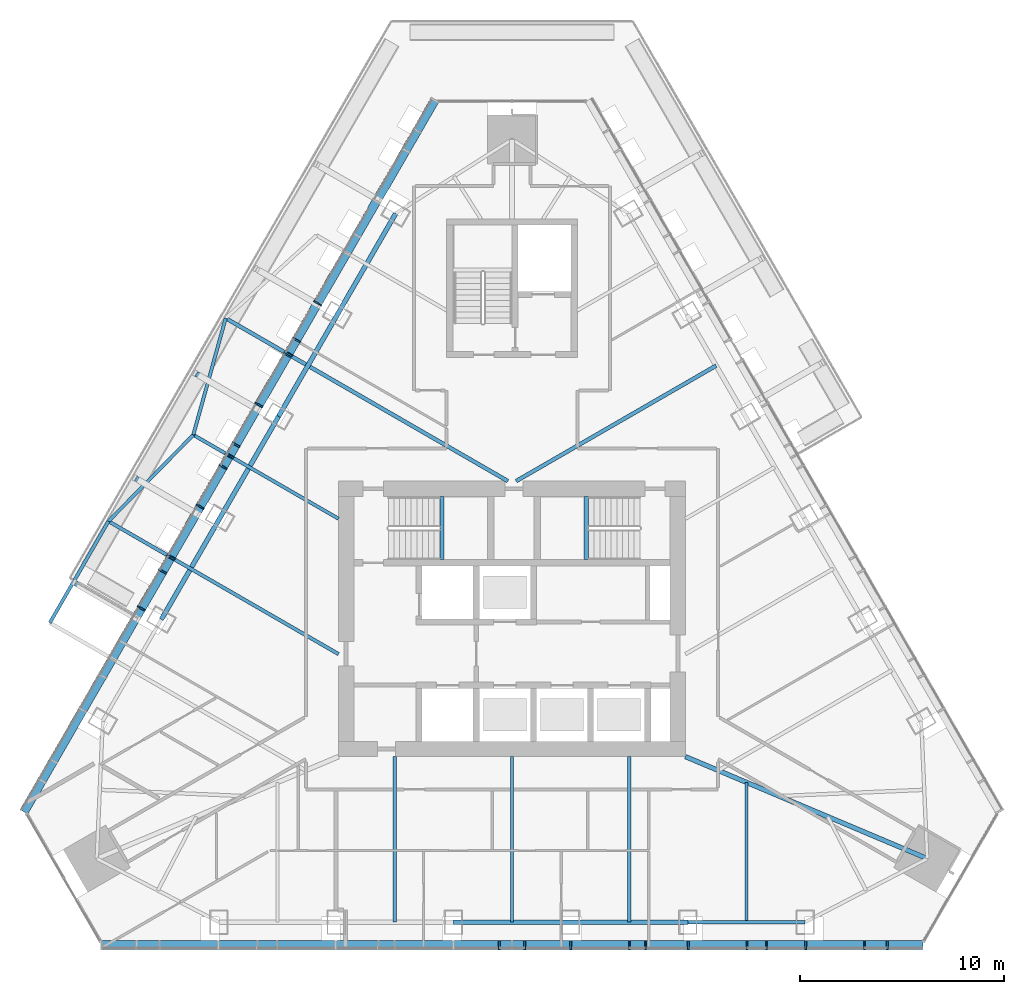
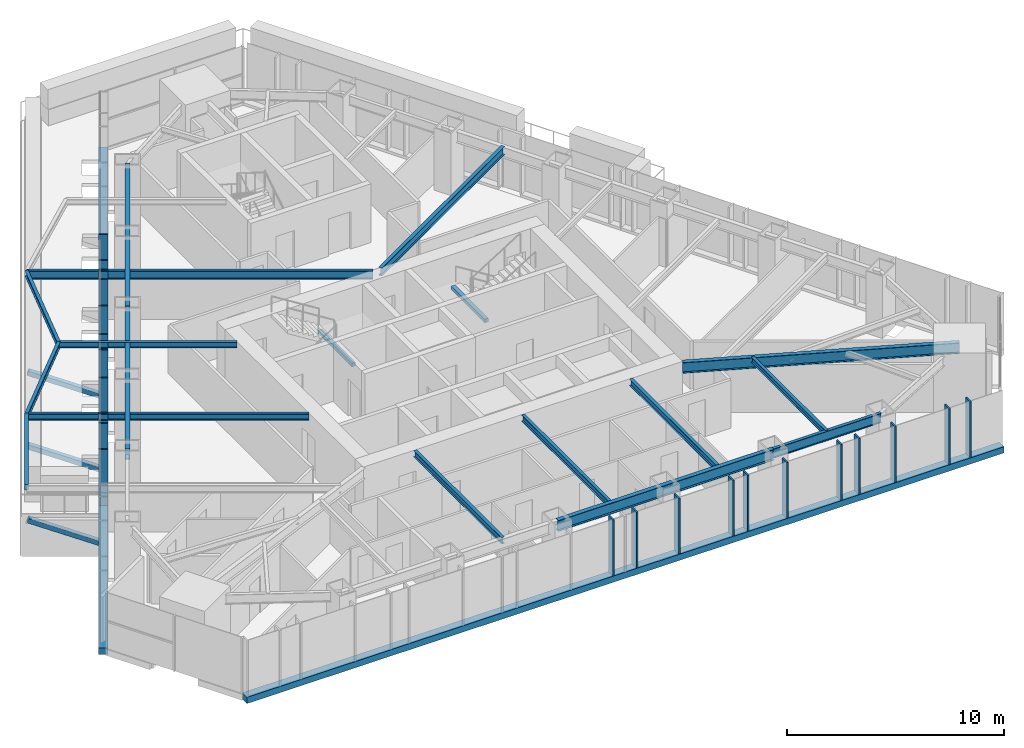
# One storey, part 3 of 16: 27 members, 18 beams, 2 elements without a shape of their own.
"""IFC4 building model written with IfcOpenShell, lengths in metres."""

from ifc_helpers import new_model, si_unit, direction, frame, origin, origin_2d, place, context, subcontext, project, spatial, rectangle, hollow_rectangle, i_section, extrude, material, layer, layer_set, material_profile, profile_set, type_object, element, aggregate, save


model = new_model("IFC4")

# Units and contexts
model_context = context("Model", 3, precision=1e-05, world=origin(), true_north=direction((0.0, 1.0)))
body_context = subcontext(model_context, "Body", "Model", "MODEL_VIEW")
ifc_project = project(units=[si_unit("LENGTHUNIT", "METRE"), si_unit("AREAUNIT", "SQUARE_METRE"), si_unit("VOLUMEUNIT", "CUBIC_METRE"), si_unit("PLANEANGLEUNIT", "RADIAN"), si_unit("MASSUNIT", "GRAM", prefix="KILO")], contexts=[model_context])

# Site, building, storey
site_placement = place(None, origin())
site = spatial("IfcSite", under=ifc_project, at=site_placement, CompositionType="ELEMENT")
building_placement = place(site_placement, origin())
building = spatial("IfcBuilding", under=site, at=building_placement, Name="Firuza Gate Tower and Library", CompositionType="ELEMENT")
storey_placement = place(building_placement, frame((0.0, 0.0, 319.60009765625)))
storey = spatial("IfcBuildingStorey", under=building, at=storey_placement, Name="L78", CompositionType="ELEMENT", Elevation=319.60009765625)

# Curtain wall, members
ifc_material_1 = material(Name="Aluminium 6063-T6", Category="aluminium")
ifc_layer = layer(ifc_material_1, 0.14990234375)
ifc_layer_set = layer_set([ifc_layer], Name="Unitised curtain wall, residences")
curtain_wall_type = type_object("IfcCurtainWallType", Name="Unitised curtain wall, residences", PredefinedType="NOTDEFINED", material=ifc_layer_set)
placement = place(storey_placement, origin())
curtain_wall_1 = element("IfcCurtainWall", 1, at=placement, inside=storey, type_object=curtain_wall_type, Name="CW3 L78 S face", PredefinedType="NOTDEFINED")
ifc_material_2 = material(Name="Aluminium 6063-T6", Category="aluminium")
ifc_material_profile_1 = material_profile(ifc_material_2, rectangle(XDim=0.43994140625, YDim=0.080078125, at=origin_2d()))
ifc_profile_set_1 = profile_set([ifc_material_profile_1], Name="Aluminium 6063-T6")
member_type_1 = type_object("IfcMemberType", Name="Curtain wall mullion 80x440", PredefinedType="MULLION", material=ifc_profile_set_1)
member_1_placement = place(storey_placement, frame((77.878173828125, 59.01611328125, 0.14990234375), z_axis=(0.0, 0.0, 1.0), x_axis=(0.0, 1.0, 0.0)))
member_1 = element("IfcMember", 2, at=member_1_placement, type_object=member_type_1, Name="Mullion", PredefinedType="MULLION", context=body_context, shape_type="SweptSolid", body=[
    extrude(rectangle(XDim=0.43994140625, YDim=0.080078125, at=origin_2d()), origin(), (0.0, 0.0, 1.0), 3.14990234375),
])
member_2_placement = place(storey_placement, frame((80.75634765625, 59.01611328125, 0.14990234375), z_axis=(0.0, 0.0, 1.0), x_axis=(0.0, 1.0, 0.0)))
member_2 = element("IfcMember", 3, at=member_2_placement, type_object=member_type_1, Name="Mullion", PredefinedType="MULLION", context=body_context, shape_type="SweptSolid", body=[
    extrude(rectangle(XDim=0.43994140625, YDim=0.080078125, at=origin_2d()), origin(), (0.0, 0.0, 1.0), 3.14990234375),
])
member_3_placement = place(storey_placement, frame((83.634521484375, 59.01611328125, 0.14990234375), z_axis=(0.0, 0.0, 1.0), x_axis=(0.0, 1.0, 0.0)))
member_3 = element("IfcMember", 4, at=member_3_placement, type_object=member_type_1, Name="Mullion", PredefinedType="MULLION", context=body_context, shape_type="SweptSolid", body=[
    extrude(rectangle(XDim=0.43994140625, YDim=0.080078125, at=origin_2d()), origin(), (0.0, 0.0, 1.0), 3.14990234375),
])
member_4_placement = place(storey_placement, frame((86.5126953125, 59.01611328125, 0.14990234375), z_axis=(0.0, 0.0, 1.0), x_axis=(0.0, 1.0, 0.0)))
member_4 = element("IfcMember", 5, at=member_4_placement, type_object=member_type_1, Name="Mullion", PredefinedType="MULLION", context=body_context, shape_type="SweptSolid", body=[
    extrude(rectangle(XDim=0.43994140625, YDim=0.080078125, at=origin_2d()), origin(), (0.0, 0.0, 1.0), 3.14990234375),
])
member_5_placement = place(storey_placement, frame((89.390869140625, 59.01611328125, 0.14990234375), z_axis=(0.0, 0.0, 1.0), x_axis=(0.0, 1.0, 0.0)))
member_5 = element("IfcMember", 6, at=member_5_placement, type_object=member_type_1, Name="Mullion", PredefinedType="MULLION", context=body_context, shape_type="SweptSolid", body=[
    extrude(rectangle(XDim=0.43994140625, YDim=0.080078125, at=origin_2d()), origin(), (0.0, 0.0, 1.0), 3.14990234375),
])
member_6_placement = place(storey_placement, frame((92.26904296875, 59.01611328125, 0.14990234375), z_axis=(0.0, 0.0, 1.0), x_axis=(0.0, 1.0, 0.0)))
member_6 = element("IfcMember", 7, at=member_6_placement, type_object=member_type_1, Name="Mullion", PredefinedType="MULLION", context=body_context, shape_type="SweptSolid", body=[
    extrude(rectangle(XDim=0.43994140625, YDim=0.080078125, at=origin_2d()), origin(), (0.0, 0.0, 1.0), 3.14990234375),
])
member_7_placement = place(storey_placement, frame((74.37548828125, 59.01611328125, 0.14990234375), z_axis=(0.0, 0.0, 1.0), x_axis=(0.0, 1.0, 0.0)))
member_7 = element("IfcMember", 8, at=member_7_placement, type_object=member_type_1, Name="Mullion", PredefinedType="MULLION", context=body_context, shape_type="SweptSolid", body=[
    extrude(rectangle(XDim=0.43994140625, YDim=0.080078125, at=origin_2d()), origin(), (0.0, 0.0, 1.0), 3.14990234375),
])
member_8_placement = place(storey_placement, frame((75.62451171875, 59.01611328125, 0.14990234375), z_axis=(0.0, 0.0, 1.0), x_axis=(0.0, 1.0, 0.0)))
member_8 = element("IfcMember", 9, at=member_8_placement, type_object=member_type_1, Name="Mullion", PredefinedType="MULLION", context=body_context, shape_type="SweptSolid", body=[
    extrude(rectangle(XDim=0.43994140625, YDim=0.080078125, at=origin_2d()), origin(), (0.0, 0.0, 1.0), 3.14990234375),
])
member_9_placement = place(storey_placement, frame((81.54443359375, 59.01611328125, 0.14990234375), z_axis=(0.0, 0.0, 1.0), x_axis=(0.0, 1.0, 0.0)))
member_9 = element("IfcMember", 10, at=member_9_placement, type_object=member_type_1, Name="Mullion", PredefinedType="MULLION", context=body_context, shape_type="SweptSolid", body=[
    extrude(rectangle(XDim=0.43994140625, YDim=0.080078125, at=origin_2d()), origin(), (0.0, 0.0, 1.0), 3.14990234375),
])
member_10_placement = place(storey_placement, frame((87.46435546875, 59.01611328125, 0.14990234375), z_axis=(0.0, 0.0, 1.0), x_axis=(0.0, 1.0, 0.0)))
member_10 = element("IfcMember", 11, at=member_10_placement, type_object=member_type_1, Name="Mullion", PredefinedType="MULLION", context=body_context, shape_type="SweptSolid", body=[
    extrude(rectangle(XDim=0.43994140625, YDim=0.080078125, at=origin_2d()), origin(), (0.0, 0.0, 1.0), 3.14990234375),
])
member_11_placement = place(storey_placement, frame((93.384521484375, 59.01611328125, 0.14990234375), z_axis=(0.0, 0.0, 1.0), x_axis=(0.0, 1.0, 0.0)))
member_11 = element("IfcMember", 12, at=member_11_placement, type_object=member_type_1, Name="Mullion", PredefinedType="MULLION", context=body_context, shape_type="SweptSolid", body=[
    extrude(rectangle(XDim=0.43994140625, YDim=0.080078125, at=origin_2d()), origin(), (0.0, 0.0, 1.0), 3.14990234375),
])

curtain_wall_2 = element("IfcCurtainWall", 13, at=placement, inside=storey, type_object=curtain_wall_type, Name="CW3 L78 W face", PredefinedType="NOTDEFINED")
member_12_placement = place(storey_placement, frame((65.474853515625, 90.4697265625, 0.14990234375), z_axis=(0.0, 0.0, 1.0), x_axis=(0.866025403784, -0.5, 0.0)))
member_12 = element("IfcMember", 14, at=member_12_placement, type_object=member_type_1, Name="Mullion", PredefinedType="MULLION", context=body_context, shape_type="SweptSolid", body=[
    extrude(rectangle(XDim=0.43994140625, YDim=0.080078125, at=origin_2d()), origin(), (0.0, 0.0, 1.0), 3.14990234375),
])
member_13_placement = place(storey_placement, frame((64.03564453125, 87.97705078125, 0.14990234375), z_axis=(0.0, 0.0, 1.0), x_axis=(0.866025403784, -0.5, 0.0)))
member_13 = element("IfcMember", 15, at=member_13_placement, type_object=member_type_1, Name="Mullion", PredefinedType="MULLION", context=body_context, shape_type="SweptSolid", body=[
    extrude(rectangle(XDim=0.43994140625, YDim=0.080078125, at=origin_2d()), origin(), (0.0, 0.0, 1.0), 3.14990234375),
])
member_14_placement = place(storey_placement, frame((62.5966796875, 85.484619140625, 0.14990234375), z_axis=(0.0, 0.0, 1.0), x_axis=(0.866025403784, -0.5, 0.0)))
member_14 = element("IfcMember", 16, at=member_14_placement, type_object=member_type_1, Name="Mullion", PredefinedType="MULLION", context=body_context, shape_type="SweptSolid", body=[
    extrude(rectangle(XDim=0.43994140625, YDim=0.080078125, at=origin_2d()), origin(), (0.0, 0.0, 1.0), 3.14990234375),
])
member_15_placement = place(storey_placement, frame((61.157470703125, 82.991943359375, 0.14990234375), z_axis=(0.0, 0.0, 1.0), x_axis=(0.866025403784, -0.5, 0.0)))
member_15 = element("IfcMember", 17, at=member_15_placement, type_object=member_type_1, Name="Mullion", PredefinedType="MULLION", context=body_context, shape_type="SweptSolid", body=[
    extrude(rectangle(XDim=0.43994140625, YDim=0.080078125, at=origin_2d()), origin(), (0.0, 0.0, 1.0), 3.14990234375),
])
member_16_placement = place(storey_placement, frame((59.71826171875, 80.49951171875, 0.14990234375), z_axis=(0.0, 0.0, 1.0), x_axis=(0.866025403784, -0.5, 0.0)))
member_16 = element("IfcMember", 18, at=member_16_placement, type_object=member_type_1, Name="Mullion", PredefinedType="MULLION", context=body_context, shape_type="SweptSolid", body=[
    extrude(rectangle(XDim=0.43994140625, YDim=0.080078125, at=origin_2d()), origin(), (0.0, 0.0, 1.0), 3.14990234375),
])
member_17_placement = place(storey_placement, frame((58.279296875, 78.0068359375, 0.14990234375), z_axis=(0.0, 0.0, 1.0), x_axis=(0.866025403784, -0.5, 0.0)))
member_17 = element("IfcMember", 19, at=member_17_placement, type_object=member_type_1, Name="Mullion", PredefinedType="MULLION", context=body_context, shape_type="SweptSolid", body=[
    extrude(rectangle(XDim=0.43994140625, YDim=0.080078125, at=origin_2d()), origin(), (0.0, 0.0, 1.0), 3.14990234375),
])
member_18_placement = place(storey_placement, frame((56.840087890625, 75.51416015625, 0.14990234375), z_axis=(0.0, 0.0, 1.0), x_axis=(0.866025403784, -0.5, 0.0)))
member_18 = element("IfcMember", 20, at=member_18_placement, type_object=member_type_1, Name="Mullion", PredefinedType="MULLION", context=body_context, shape_type="SweptSolid", body=[
    extrude(rectangle(XDim=0.43994140625, YDim=0.080078125, at=origin_2d()), origin(), (0.0, 0.0, 1.0), 3.14990234375),
])
member_19_placement = place(storey_placement, frame((64.4296875, 88.65966796875, 0.14990234375), z_axis=(0.0, 0.0, 1.0), x_axis=(0.866025403784, -0.5, 0.0)))
member_19 = element("IfcMember", 21, at=member_19_placement, type_object=member_type_1, Name="Mullion", PredefinedType="MULLION", context=body_context, shape_type="SweptSolid", body=[
    extrude(rectangle(XDim=0.43994140625, YDim=0.080078125, at=origin_2d()), origin(), (0.0, 0.0, 1.0), 3.14990234375),
])
member_20_placement = place(storey_placement, frame((61.4697265625, 83.53271484375, 0.14990234375), z_axis=(0.0, 0.0, 1.0), x_axis=(0.866025403784, -0.5, 0.0)))
member_20 = element("IfcMember", 22, at=member_20_placement, type_object=member_type_1, Name="Mullion", PredefinedType="MULLION", context=body_context, shape_type="SweptSolid", body=[
    extrude(rectangle(XDim=0.43994140625, YDim=0.080078125, at=origin_2d()), origin(), (0.0, 0.0, 1.0), 3.14990234375),
])
member_21_placement = place(storey_placement, frame((60.84521484375, 82.451171875, 0.14990234375), z_axis=(0.0, 0.0, 1.0), x_axis=(0.866025403784, -0.5, 0.0)))
member_21 = element("IfcMember", 23, at=member_21_placement, type_object=member_type_1, Name="Mullion", PredefinedType="MULLION", context=body_context, shape_type="SweptSolid", body=[
    extrude(rectangle(XDim=0.43994140625, YDim=0.080078125, at=origin_2d()), origin(), (0.0, 0.0, 1.0), 3.14990234375),
])
member_22_placement = place(storey_placement, frame((57.88525390625, 77.32421875, 0.14990234375), z_axis=(0.0, 0.0, 1.0), x_axis=(0.866025403784, -0.5, 0.0)))
member_22 = element("IfcMember", 24, at=member_22_placement, type_object=member_type_1, Name="Mullion", PredefinedType="MULLION", context=body_context, shape_type="SweptSolid", body=[
    extrude(rectangle(XDim=0.43994140625, YDim=0.080078125, at=origin_2d()), origin(), (0.0, 0.0, 1.0), 3.14990234375),
])

# Member
ifc_material_3 = material(Name="Aluminium 6063-T6", Category="aluminium")
ifc_material_profile_2 = material_profile(ifc_material_3, rectangle(XDim=0.43994140625, YDim=0.35009765625, at=origin_2d()))
ifc_profile_set_2 = profile_set([ifc_material_profile_2], Name="Aluminium 6063-T6")
member_type_2 = type_object("IfcMemberType", Name="Curtain wall transom 350x440", PredefinedType="USERDEFINED", material=ifc_profile_set_2)
member_23_placement = place(storey_placement, frame((54.852783203125, 59.01611328125, -0.025146484375), z_axis=(1.0, 0.0, 0.0), x_axis=(0.0, 1.0, 0.0)))
member_23 = element("IfcMember", 25, at=member_23_placement, type_object=member_type_2, Name="Transom", ObjectType="TRANSOM", PredefinedType="USERDEFINED", context=body_context, shape_type="SweptSolid", body=[
    extrude(rectangle(XDim=0.43994140625, YDim=0.35009765625, at=origin_2d()), origin(), (0.0, 0.0, 1.0), 40.29443359375),
])

aggregate(curtain_wall_1, [member_1, member_2, member_3, member_4, member_5, member_6, member_23, member_7, member_8, member_9, member_10, member_11])

member_24_placement = place(storey_placement, frame((71.231201171875, 100.43994140625, -0.025146484375), z_axis=(-0.500004619708, -0.866022736578, 0.0), x_axis=(0.866022736578, -0.500004619708, 0.0)))
member_24 = element("IfcMember", 26, at=member_24_placement, type_object=member_type_2, Name="Transom", ObjectType="TRANSOM", PredefinedType="USERDEFINED", context=body_context, shape_type="SweptSolid", body=[
    extrude(rectangle(XDim=0.43994140625, YDim=0.35009765625, at=origin_2d()), origin(), (0.0, 0.0, 1.0), 40.29443359375),
])

aggregate(curtain_wall_2, [member_12, member_13, member_14, member_15, member_16, member_17, member_18, member_24, member_19, member_20, member_21, member_22])

# Members
ifc_material_4 = material(Name="Steel S355", Category="steel")
ifc_material_profile_3 = material_profile(ifc_material_4, hollow_rectangle(XDim=0.25390625, YDim=0.25390625, WallThickness=0.01171875, at=origin_2d()))
ifc_profile_set_3 = profile_set([ifc_material_profile_3], Name="Steel S355")
member_type_3 = type_object("IfcMemberType", Name="HSS254x254x13 Tray strut", PredefinedType="BRACE", material=ifc_profile_set_3)
for number, where, z_axis, x_axis, name in (
    (27, (62.599609375, 85.23095703125, -1.670166015625), (-0.807144487129, 0.465983580268, 0.362459763032), (-0.499982693035, -0.866035395735, 0.0), "Tray strut L78 col:L77:W3"),
    (28, (59.639404296875, 80.10400390625, -1.670166015625), (-0.807122458648, 0.466007352202, 0.362478253747), (-0.500012057535, -0.866018442252, 0.0), "Tray strut L78 col:L77:W4"),
):
    element("IfcMember", number, at=place(storey_placement, frame(where, z_axis=z_axis, x_axis=x_axis)), inside=storey, type_object=member_type_3, Name=name, PredefinedType="BRACE", context=body_context, shape_type="SweptSolid", body=[
        extrude(hollow_rectangle(XDim=0.25390625, YDim=0.25390625, WallThickness=0.01171875, at=origin_2d()), origin(), (0.0, 0.0, 1.0), 3.86279296875),
    ])
member_25_placement = place(storey_placement, frame((56.679443359375, 74.977294921875, -1.670166015625), z_axis=(-0.807146230908, 0.465957871124, 0.362488929856), x_axis=(-0.499961193289, -0.866047807691, 0.0)))
element("IfcMember", 29, at=member_25_placement, inside=storey, type_object=member_type_3, Name="Tray strut L78 col:L77:W5", PredefinedType="BRACE", context=body_context, shape_type="SweptSolid", body=[
    extrude(hollow_rectangle(XDim=0.25390625, YDim=0.25390625, WallThickness=0.01171875, at=origin_2d()), origin(), (0.0, 0.0, 1.0), 3.862548828125),
])

# Beams
ifc_material_5 = material(Name="Concrete C35/45", Category="concrete")
ifc_material_profile_4 = material_profile(ifc_material_5, rectangle(XDim=0.199951171875, YDim=0.199951171875, at=origin_2d()))
ifc_profile_set_4 = profile_set([ifc_material_profile_4], Name="Concrete C35/45")
beam_type_1 = type_object("IfcBeamType", Name="Stair landing bearer 200x200", PredefinedType="BEAM", material=ifc_profile_set_4)
for number, where, z_axis, x_axis, name in (
    (30, (71.56005859375, 77.89990234375, 1.449951171875), (0.0, 1.0, 0.0), (-1.0, 0.0, 0.0), "Landing bearer L78 stair 1"),
    (31, (78.639892578125, 81.0, 1.449951171875), (0.0, -1.0, 0.0), (1.0, 0.0, 0.0), "Landing bearer L78 stair 2"),
):
    element("IfcBeam", number, at=place(storey_placement, frame(where, z_axis=z_axis, x_axis=x_axis)), inside=storey, type_object=beam_type_1, Name=name, PredefinedType="BEAM", context=body_context, shape_type="SweptSolid", body=[
        extrude(rectangle(XDim=0.199951171875, YDim=0.199951171875, at=origin_2d()), origin(), (0.0, 0.0, 1.0), 3.10009765625),
    ])
ifc_material_6 = material(Name="Steel S355", Category="steel")
ifc_material_profile_5 = material_profile(ifc_material_6, i_section(OverallWidth=0.1650390625, OverallDepth=0.31005859375, WebThickness=0.005859375, FlangeThickness=0.009765625, at=origin_2d()))
ifc_profile_set_5 = profile_set([ifc_material_profile_5], Name="Steel S355")
beam_type_2 = type_object("IfcBeamType", Name="W310x39 Floor beam", PredefinedType="JOIST", material=ifc_profile_set_5)
beam_1_placement = place(storey_placement, frame((86.488037109375, 60.135986328125, 3.14501953125), z_axis=(0.0, 1.0, 0.0), x_axis=(-1.0, 0.0, 0.0)))
element("IfcBeam", 32, at=beam_1_placement, inside=storey, type_object=beam_type_2, Name="Floor beam L78 s24", PredefinedType="JOIST", context=body_context, shape_type="SweptSolid", body=[
    extrude(i_section(OverallWidth=0.1650390625, OverallDepth=0.31005859375, WebThickness=0.005859375, FlangeThickness=0.009765625, at=origin_2d()), origin(), (0.0, 0.0, 1.0), 6.853759765625),
])
beam_2_placement = place(storey_placement, frame((59.385498046875, 84.014892578125, 3.14501953125), z_axis=(0.866032664072, -0.499987424603, 0.0), x_axis=(0.499987424603, 0.866032664072, 0.0)))
element("IfcBeam", 33, at=beam_2_placement, inside=storey, type_object=beam_type_2, Name="Floor beam L78 s82", PredefinedType="JOIST", context=body_context, shape_type="SweptSolid", body=[
    extrude(i_section(OverallWidth=0.1650390625, OverallDepth=0.31005859375, WebThickness=0.005859375, FlangeThickness=0.009765625, at=origin_2d()), origin(), (0.0, 0.0, 1.0), 8.215087890625),
])
beam_3_placement = place(storey_placement, frame((60.972412109375, 89.7314453125, 3.14501953125), z_axis=(-0.267484678156, -0.963562113697, 0.0), x_axis=(0.963562113697, -0.267484678156, 0.0)))
element("IfcBeam", 34, at=beam_3_placement, inside=storey, type_object=beam_type_2, Name="Tray edge beam L78 s81-s82", PredefinedType="JOIST", context=body_context, shape_type="SweptSolid", body=[
    extrude(i_section(OverallWidth=0.1650390625, OverallDepth=0.31005859375, WebThickness=0.005859375, FlangeThickness=0.009765625, at=origin_2d()), origin(), (0.0, 0.0, 1.0), 5.9326171875),
])
beam_4_placement = place(storey_placement, frame((59.385498046875, 84.014892578125, 3.14501953125), z_axis=(-0.700719984758, -0.713436404286, 0.0), x_axis=(0.713436404286, -0.700719984758, 0.0)))
element("IfcBeam", 35, at=beam_4_placement, inside=storey, type_object=beam_type_2, Name="Tray edge beam L78 s82-s83", PredefinedType="JOIST", context=body_context, shape_type="SweptSolid", body=[
    extrude(i_section(OverallWidth=0.1650390625, OverallDepth=0.31005859375, WebThickness=0.005859375, FlangeThickness=0.009765625, at=origin_2d()), origin(), (0.0, 0.0, 1.0), 5.932373046875),
])
beam_5_placement = place(storey_placement, frame((55.228515625, 79.782470703125, 3.14501953125), z_axis=(-0.500015564793, -0.866016417261, 0.0), x_axis=(0.866016417261, -0.500015564793, 0.0)))
element("IfcBeam", 36, at=beam_5_placement, inside=storey, type_object=beam_type_2, Name="Tray edge beam L78 s83-s84", PredefinedType="JOIST", context=body_context, shape_type="SweptSolid", body=[
    extrude(i_section(OverallWidth=0.1650390625, OverallDepth=0.31005859375, WebThickness=0.005859375, FlangeThickness=0.009765625, at=origin_2d()), origin(), (0.0, 0.0, 1.0), 5.743896484375),
])
ifc_material_7 = material(Name="Steel S355", Category="steel")
ifc_material_profile_6 = material_profile(ifc_material_7, i_section(OverallWidth=0.1708984375, OverallDepth=0.35498046875, WebThickness=0.007080078125, FlangeThickness=0.01171875, at=origin_2d()))
ifc_profile_set_6 = profile_set([ifc_material_profile_6], Name="Steel S355")
beam_type_3 = type_object("IfcBeamType", Name="W360x51 Floor beam", PredefinedType="JOIST", material=ifc_profile_set_6)
for number, where, z_axis, x_axis, name in (
    (37, (69.256103515625, 60.135986328125, 3.122314453125), (0.0, 1.0, 0.0), (-1.0, 0.0, 0.0), "Floor beam L78 s21"),
    (38, (75.0, 60.135986328125, 3.122314453125), (0.0, 1.0, 0.0), (-1.0, 0.0, 0.0), "Floor beam L78 s22"),
    (39, (80.743896484375, 60.135986328125, 3.122314453125), (0.0, 1.0, 0.0), (-1.0, 0.0, 0.0), "Floor beam L78 s23"),
):
    element("IfcBeam", number, at=place(storey_placement, frame(where, z_axis=z_axis, x_axis=x_axis)), inside=storey, type_object=beam_type_3, Name=name, PredefinedType="JOIST", context=body_context, shape_type="SweptSolid", body=[
        extrude(i_section(OverallWidth=0.1708984375, OverallDepth=0.35498046875, WebThickness=0.007080078125, FlangeThickness=0.01171875, at=origin_2d()), origin(), (0.0, 0.0, 1.0), 8.114013671875),
    ])
beam_6_placement = place(storey_placement, frame((55.228515625, 79.782470703125, 3.122314453125), z_axis=(0.866026274744, -0.499998491451, 0.0), x_axis=(0.499998491451, 0.866026274744, 0.0)))
element("IfcBeam", 40, at=beam_6_placement, inside=storey, type_object=beam_type_3, Name="Floor beam L78 s83", PredefinedType="JOIST", context=body_context, shape_type="SweptSolid", body=[
    extrude(i_section(OverallWidth=0.1708984375, OverallDepth=0.35498046875, WebThickness=0.007080078125, FlangeThickness=0.01171875, at=origin_2d()), origin(), (0.0, 0.0, 1.0), 13.01513671875),
])
ifc_material_8 = material(Name="Steel S355", Category="steel")
ifc_material_profile_7 = material_profile(ifc_material_8, i_section(OverallWidth=0.18994140625, OverallDepth=0.45703125, WebThickness=0.009033203125, FlangeThickness=0.014404296875, at=origin_2d()))
ifc_profile_set_7 = profile_set([ifc_material_profile_7], Name="Steel S355")
beam_type_4 = type_object("IfcBeamType", Name="W460x74 Floor beam", PredefinedType="JOIST", material=ifc_profile_set_7)
beam_7_placement = place(storey_placement, frame((85.00048828125, 87.406494140625, 3.0712890625), z_axis=(-0.866020628101, -0.500008271636, 0.0), x_axis=(0.500008271636, -0.866020628101, 0.0)))
element("IfcBeam", 41, at=beam_7_placement, inside=storey, type_object=beam_type_4, Name="Floor beam L78 s53", PredefinedType="JOIST", context=body_context, shape_type="SweptSolid", body=[
    extrude(i_section(OverallWidth=0.18994140625, OverallDepth=0.45703125, WebThickness=0.009033203125, FlangeThickness=0.014404296875, at=origin_2d()), origin(), (0.0, 0.0, 1.0), 11.312744140625),
])
beam_8_placement = place(storey_placement, frame((60.972412109375, 89.7314453125, 3.0712890625), z_axis=(0.866024619946, -0.500001357645, 0.0), x_axis=(0.500001357645, 0.866024619946, 0.0)))
element("IfcBeam", 42, at=beam_8_placement, inside=storey, type_object=beam_type_4, Name="Floor beam L78 s81", PredefinedType="JOIST", context=body_context, shape_type="SweptSolid", body=[
    extrude(i_section(OverallWidth=0.18994140625, OverallDepth=0.45703125, WebThickness=0.009033203125, FlangeThickness=0.014404296875, at=origin_2d()), origin(), (0.0, 0.0, 1.0), 15.962890625),
])
ifc_material_9 = material(Name="Steel S355", Category="steel")
ifc_material_profile_8 = material_profile(ifc_material_9, i_section(OverallWidth=0.166015625, OverallDepth=0.534912109375, WebThickness=0.01025390625, FlangeThickness=0.0166015625, at=origin_2d()))
ifc_profile_set_8 = profile_set([ifc_material_profile_8], Name="Steel S355")
beam_type_5 = type_object("IfcBeamType", Name="W530x85 Edge beam", PredefinedType="SPANDREL", material=ifc_profile_set_8)
beam_9_placement = place(storey_placement, frame((83.615966796875, 60.135986328125, 3.032470703125), z_axis=(1.0, 0.0, 0.0), x_axis=(0.0, 1.0, 0.0)))
element("IfcBeam", 43, at=beam_9_placement, inside=storey, type_object=beam_type_5, Name="Edge beam L78 e24", PredefinedType="SPANDREL", context=body_context, shape_type="SweptSolid", body=[
    extrude(i_section(OverallWidth=0.166015625, OverallDepth=0.534912109375, WebThickness=0.01025390625, FlangeThickness=0.0166015625, at=origin_2d()), origin(), (0.0, 0.0, 1.0), 5.744140625),
])
ifc_material_10 = material(Name="Steel S355", Category="steel")
ifc_material_profile_9 = material_profile(ifc_material_10, i_section(OverallWidth=0.22802734375, OverallDepth=0.60302734375, WebThickness=0.010498046875, FlangeThickness=0.014892578125, at=origin_2d()))
ifc_profile_set_9 = profile_set([ifc_material_profile_9], Name="Steel S355")
beam_type_6 = type_object("IfcBeamType", Name="W610x101 Girder", PredefinedType="BEAM", material=ifc_profile_set_9)
beam_10_placement = place(storey_placement, frame((95.34521484375, 63.253662109375, 2.998291015625), z_axis=(-0.921388175971, 0.388643576018, 0.0), x_axis=(-0.388643576018, -0.921388175971, 0.0)))
element("IfcBeam", 44, at=beam_10_placement, inside=storey, type_object=beam_type_6, Name="Girder L78 gSE", PredefinedType="BEAM", context=body_context, shape_type="SweptSolid", body=[
    extrude(i_section(OverallWidth=0.22802734375, OverallDepth=0.60302734375, WebThickness=0.010498046875, FlangeThickness=0.014892578125, at=origin_2d()), origin(), (0.0, 0.0, 1.0), 12.85595703125),
])
ifc_material_11 = material(Name="Steel S355", Category="steel")
ifc_material_profile_10 = material_profile(ifc_material_11, i_section(OverallWidth=0.22900390625, OverallDepth=0.612060546875, WebThickness=0.011962890625, FlangeThickness=0.01953125, at=origin_2d()))
ifc_profile_set_10 = profile_set([ifc_material_profile_10], Name="Steel S355")
beam_type_7 = type_object("IfcBeamType", Name="W610x125 Edge beam", PredefinedType="SPANDREL", material=ifc_profile_set_10)
for number, where, z_axis, x_axis, name in (
    (45, (72.1279296875, 60.135986328125, 2.993896484375), (1.0, 0.0, 0.0), (0.0, 1.0, 0.0), "Edge beam L78 e22"),
    (46, (69.307373046875, 94.8681640625, 2.993896484375), (-0.499990423607, -0.866030932647, 0.0), (0.866030932647, -0.499990423607, 0.0), "Edge beam L78 e80"),
    (47, (63.5634765625, 84.919189453125, 2.993896484375), (-0.500006362384, -0.866021730429, 0.0), (0.866021730429, -0.500006362384, 0.0), "Edge beam L78 e82"),
):
    element("IfcBeam", number, at=place(storey_placement, frame(where, z_axis=z_axis, x_axis=x_axis)), inside=storey, type_object=beam_type_7, Name=name, PredefinedType="SPANDREL", context=body_context, shape_type="SweptSolid", body=[
        extrude(i_section(OverallWidth=0.22900390625, OverallDepth=0.612060546875, WebThickness=0.011962890625, FlangeThickness=0.01953125, at=origin_2d()), origin(), (0.0, 0.0, 1.0), 11.488037109375),
    ])

save(model, "model.ifc")
